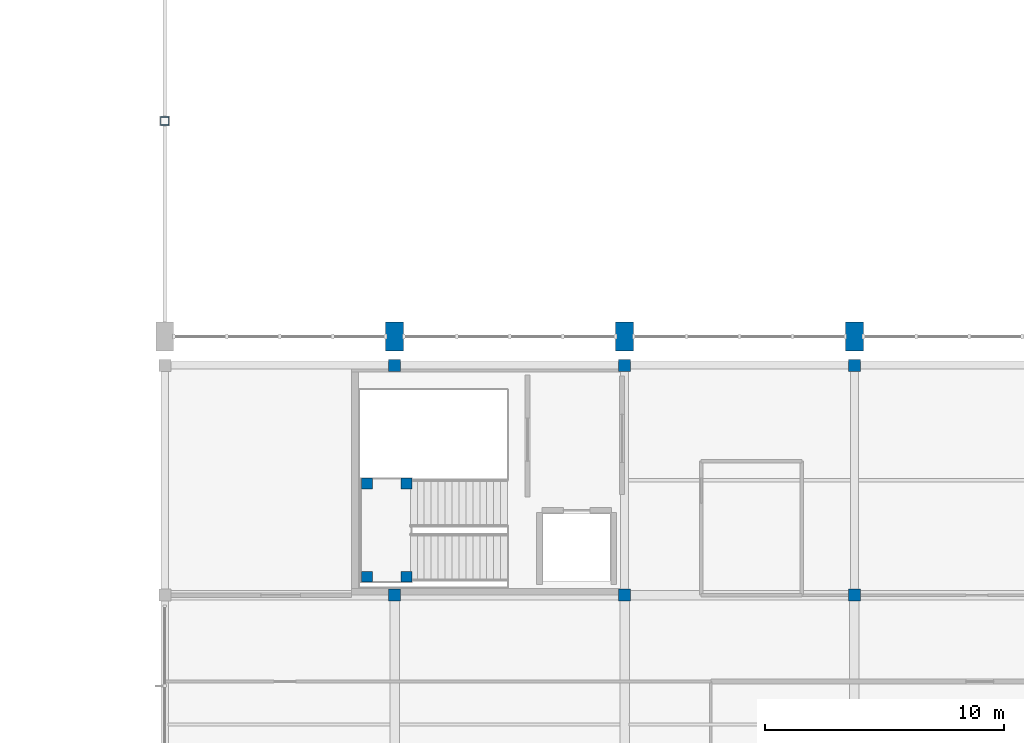
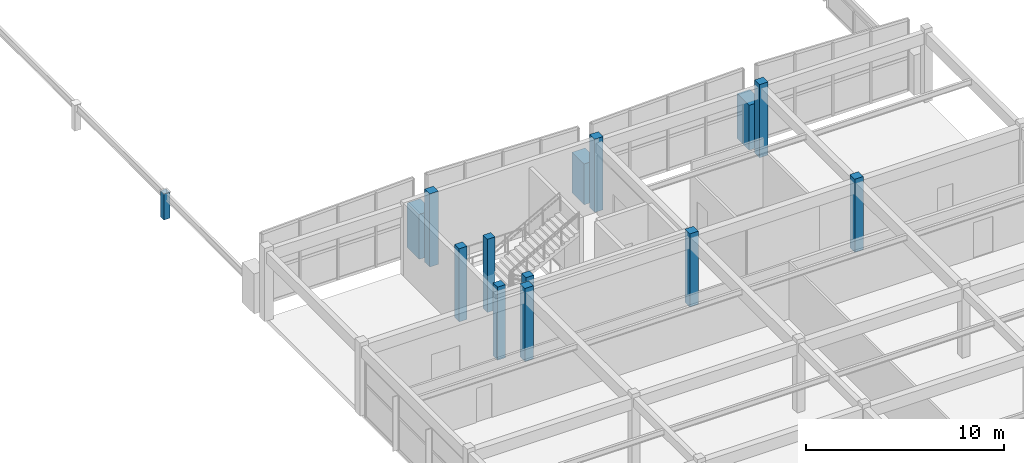
# One storey, part 3 of 89: 14 columns.
"""IFC4 building model written with IfcOpenShell, lengths in metres."""

from ifc_helpers import new_model, si_unit, direction, frame, origin, origin_2d, place, context, subcontext, project, spatial, rectangle, hollow_rectangle, extrude, material, material_profile, profile_set, type_object, element, save


model = new_model("IFC4")

# Units and contexts
model_context = context("Model", 3, precision=1e-05, world=origin(), true_north=direction((0.0, 1.0)))
body_context = subcontext(model_context, "Body", "Model", "MODEL_VIEW")
ifc_project = project(units=[si_unit("LENGTHUNIT", "METRE"), si_unit("AREAUNIT", "SQUARE_METRE"), si_unit("VOLUMEUNIT", "CUBIC_METRE"), si_unit("PLANEANGLEUNIT", "RADIAN"), si_unit("MASSUNIT", "GRAM", prefix="KILO")], contexts=[model_context])

# Site, building, storey
site_placement = place(None, origin())
site = spatial("IfcSite", under=ifc_project, at=site_placement, CompositionType="ELEMENT")
building_placement = place(site_placement, origin())
building = spatial("IfcBuilding", under=site, at=building_placement, Name="Suirenkawa Promenade Aquatics Centre", CompositionType="ELEMENT")
storey_placement = place(building_placement, frame((0.0, 0.0, 9.60009765625)))
storey = spatial("IfcBuildingStorey", under=building, at=storey_placement, Name="L02", CompositionType="ELEMENT", Elevation=9.60009765625)

# Columns
ifc_material_1 = material(Name="Concrete M40", Category="concrete")
ifc_material_profile_1 = material_profile(ifc_material_1, rectangle(XDim=0.75, YDim=1.199951171875, at=origin_2d()), Name="RC PIER 750x1200", Category="concrete")
ifc_profile_set_1 = profile_set([ifc_material_profile_1], Name="Concrete M40")
column_type_1 = type_object("IfcColumnType", Name="CT-PIER-750x1200", PredefinedType="COLUMN", material=ifc_profile_set_1)
column_1_placement = place(storey_placement, frame((165.60009765625, 50.39990234375, 0.0), z_axis=(0.0, 0.0, 1.0), x_axis=(1.0, 0.0, 0.0)))
element("IfcColumn", 1, at=column_1_placement, inside=storey, type_object=column_type_1, Name="Column CL-08 COL-0087", PredefinedType="COLUMN", context=body_context, shape_type="SweptSolid", body=[
    extrude(rectangle(XDim=0.75, YDim=1.199951171875, at=origin_2d()), origin(), (0.0, 0.0, 1.0), 2.760009765625),
])
column_2_placement = place(storey_placement, frame((175.199951171875, 50.39990234375, 0.0), z_axis=(0.0, 0.0, 1.0), x_axis=(1.0, 0.0, 0.0)))
element("IfcColumn", 2, at=column_2_placement, inside=storey, type_object=column_type_1, Name="Column CL-08 COL-0091", PredefinedType="COLUMN", context=body_context, shape_type="SweptSolid", body=[
    extrude(rectangle(XDim=0.75, YDim=1.199951171875, at=origin_2d()), origin(), (0.0, 0.0, 1.0), 2.510009765625),
])
column_3_placement = place(storey_placement, frame((184.800048828125, 50.39990234375, 0.0), z_axis=(0.0, 0.0, 1.0), x_axis=(1.0, 0.0, 0.0)))
element("IfcColumn", 3, at=column_3_placement, inside=storey, type_object=column_type_1, Name="Column CL-08 COL-0095", PredefinedType="COLUMN", context=body_context, shape_type="SweptSolid", body=[
    extrude(rectangle(XDim=0.75, YDim=1.199951171875, at=origin_2d()), origin(), (0.0, 0.0, 1.0), 2.760009765625),
])
ifc_material_profile_2 = material_profile(ifc_material_1, rectangle(XDim=0.449951171875, YDim=0.449951171875, at=origin_2d()), Name="RC COL 450x450", Category="concrete")
ifc_profile_set_2 = profile_set([ifc_material_profile_2], Name="Concrete M40")
column_type_2 = type_object("IfcColumnType", Name="CT-RC-450", PredefinedType="COLUMN", material=ifc_profile_set_2)
for number, where, z_axis, x_axis, name in (
    (4, (164.449951171875, 40.3701171875, 0.0), (0.0, 0.0, 1.0), (1.0, 0.0, 0.0), "Core stair landing column CL-01 COL-CR-C6-L02-1"),
    (5, (166.10009765625, 40.3701171875, 0.0), (0.0, 0.0, 1.0), (1.0, 0.0, 0.0), "Core stair landing column CL-01 COL-CR-C6-L02-2"),
    (6, (164.449951171875, 44.260009765625, 0.0), (0.0, 0.0, 1.0), (1.0, 0.0, 0.0), "Core stair landing column CL-01 COL-CR-C6-L02-3"),
    (7, (166.10009765625, 44.260009765625, 0.0), (0.0, 0.0, 1.0), (1.0, 0.0, 0.0), "Core stair landing column CL-01 COL-CR-C6-L02-4"),
):
    element("IfcColumn", number, at=place(storey_placement, frame(where, z_axis=z_axis, x_axis=x_axis)), inside=storey, type_object=column_type_2, Name=name, PredefinedType="COLUMN", context=body_context, shape_type="SweptSolid", body=[
        extrude(rectangle(XDim=0.449951171875, YDim=0.449951171875, at=origin_2d()), origin(), (0.0, 0.0, 1.0), 4.5),
    ])
ifc_material_profile_3 = material_profile(ifc_material_1, rectangle(XDim=0.5, YDim=0.5, at=origin_2d()), Name="RC COL 500x500", Category="concrete")
ifc_profile_set_3 = profile_set([ifc_material_profile_3], Name="Concrete M40")
column_type_3 = type_object("IfcColumnType", Name="CT-RC-500", PredefinedType="COLUMN", material=ifc_profile_set_3)
for number, where, z_axis, x_axis, name in (
    (8, (165.60009765625, 39.60009765625, 0.0), (0.0, 0.0, 1.0), (1.0, 0.0, 0.0), "Column CL-02 COL-0465"),
    (9, (165.60009765625, 49.199951171875, 0.0), (0.0, 0.0, 1.0), (1.0, 0.0, 0.0), "Column CL-02 COL-0470"),
    (10, (175.199951171875, 39.60009765625, 0.0), (0.0, 0.0, 1.0), (1.0, 0.0, 0.0), "Column CL-02 COL-0475"),
    (11, (175.199951171875, 49.199951171875, 0.0), (0.0, 0.0, 1.0), (1.0, 0.0, 0.0), "Column CL-02 COL-0480"),
    (12, (184.800048828125, 39.60009765625, 0.0), (0.0, 0.0, 1.0), (1.0, 0.0, 0.0), "Column CL-02 COL-0485"),
    (13, (184.800048828125, 49.199951171875, 0.0), (0.0, 0.0, 1.0), (1.0, 0.0, 0.0), "Column CL-02 COL-0490"),
):
    element("IfcColumn", number, at=place(storey_placement, frame(where, z_axis=z_axis, x_axis=x_axis)), inside=storey, type_object=column_type_3, Name=name, PredefinedType="COLUMN", context=body_context, shape_type="SweptSolid", body=[
        extrude(rectangle(XDim=0.5, YDim=0.5, at=origin_2d()), origin(), (0.0, 0.0, 1.0), 4.5),
    ])
ifc_material_2 = material(Name="Steel IS 2062 E350 (Grade 350)", Category="steel")
ifc_material_profile_4 = material_profile(ifc_material_2, hollow_rectangle(XDim=0.35009765625, YDim=0.35009765625, WallThickness=0.01611328125, at=origin_2d()), Name="SHS 350x350x16", Category="steel")
ifc_profile_set_4 = profile_set([ifc_material_profile_4], Name="Steel IS 2062 E350 (Grade 350)")
column_type_4 = type_object("IfcColumnType", Name="CT-STL-SHS350", PredefinedType="COLUMN", material=ifc_profile_set_4)
column_4_placement = place(storey_placement, frame((156.0, 59.39990234375, 0.0), z_axis=(0.0, 0.0, 1.0), x_axis=(1.0, 0.0, 0.0)))
element("IfcColumn", 14, at=column_4_placement, inside=storey, type_object=column_type_4, Name="Column CL-15 COL-0619", PredefinedType="COLUMN", context=body_context, shape_type="SweptSolid", body=[
    extrude(hollow_rectangle(XDim=0.35009765625, YDim=0.35009765625, WallThickness=0.01611328125, at=origin_2d()), origin(), (0.0, 0.0, 1.0), 1.599853515625),
])

save(model, "model.ifc")
